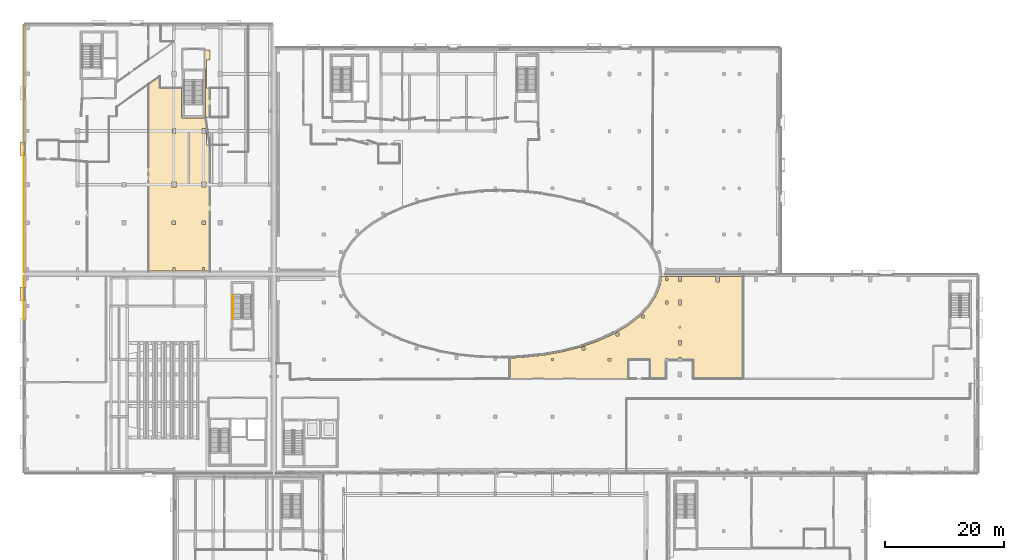
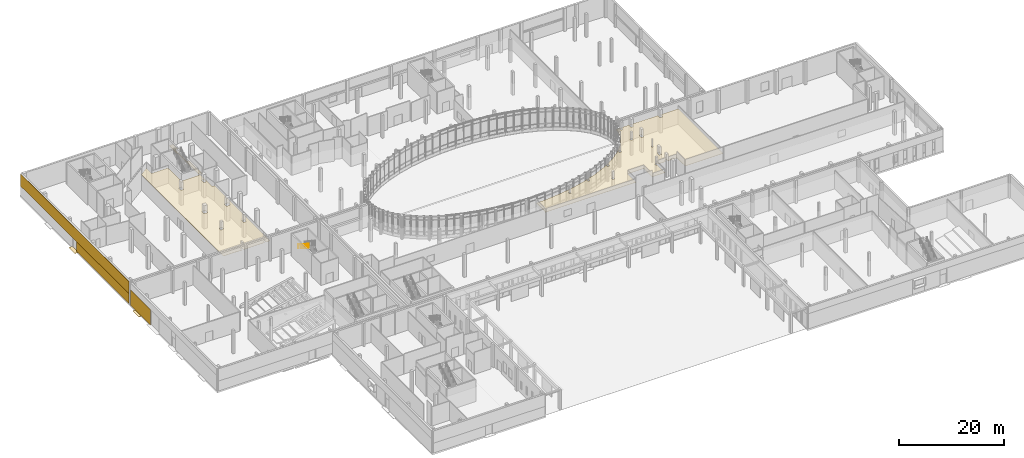
# One storey, part 67 of 84: 7 coverings, 1 railing.
"""IFC4 building model written with IfcOpenShell, lengths in metres."""

from ifc_helpers import new_model, si_unit, direction, frame, origin, origin_2d, place, context, subcontext, project, spatial, polyline, rectangle, circle, outline, extrude, material, layer, layer_set, type_object, element, save


model = new_model("IFC4")

# Units and contexts
model_context = context("Model", 3, precision=1e-05, world=origin(), true_north=direction((0.0, 1.0)))
body_context = subcontext(model_context, "Body", "Model", "MODEL_VIEW")
ifc_project = project(units=[si_unit("LENGTHUNIT", "METRE"), si_unit("AREAUNIT", "SQUARE_METRE"), si_unit("VOLUMEUNIT", "CUBIC_METRE"), si_unit("PLANEANGLEUNIT", "RADIAN"), si_unit("MASSUNIT", "GRAM", prefix="KILO")], contexts=[model_context])

# Site, building, storey
site_placement = place(None, origin())
site = spatial("IfcSite", under=ifc_project, at=site_placement, CompositionType="ELEMENT")
building_placement = place(site_placement, origin())
building = spatial("IfcBuilding", under=site, at=building_placement, Name="Mzevani Central Library", CompositionType="ELEMENT")
storey_placement = place(building_placement, origin())
storey = spatial("IfcBuildingStorey", under=building, at=storey_placement, Name="L00", CompositionType="ELEMENT", Elevation=0.0)

# Coverings
ifc_material_1 = material(Name="Limestone ashlar cladding", Category="masonry")
ifc_layer_1 = layer(ifc_material_1, 0.050048828125, Name="Limestone Ashlar Spandrel Cladding")
ifc_layer_set_1 = layer_set([ifc_layer_1], Name="Limestone ashlar cladding")
covering_type_1 = type_object("IfcCoveringType", Name="Limestone Ashlar Spandrel Cladding", PredefinedType="CLADDING", material=ifc_layer_set_1)
covering_1_placement = place(storey_placement, frame((3.97607421875, 97.050048828125, 2.2998046875), z_axis=(0.0, 0.0, 1.0), x_axis=(0.0, 1.0, 0.0)))
element("IfcCovering", 1, at=covering_1_placement, inside=storey, type_object=covering_type_1, Name="L00 Warm-White Facade Spandrel (EW4-V2-L00-0017)", PredefinedType="CLADDING", context=body_context, shape_type="SweptSolid", body=[
    extrude(rectangle(XDim=41.47998046875, YDim=0.050048828125, at=origin_2d()), origin(), (0.0, 0.0, 1.0), 2.840087890625),
])
covering_2_placement = place(storey_placement, frame((3.97607421875, 86.294921875, 0.0), z_axis=(0.0, 0.0, 1.0), x_axis=(0.0, 1.0, 0.0)))
element("IfcCovering", 2, at=covering_2_placement, inside=storey, type_object=covering_type_1, Name="L00 Warm-White Facade Pier 1 (EW4-V2-L00-0017)", PredefinedType="CLADDING", context=body_context, shape_type="SweptSolid", body=[
    extrude(rectangle(XDim=19.969970703125, YDim=0.050048828125, at=origin_2d()), origin(), (0.0, 0.0, 1.0), 2.300048828125),
])
covering_3_placement = place(storey_placement, frame((3.97607421875, 71.88720703125, 0.0), z_axis=(0.0, 0.0, 1.0), x_axis=(0.0, 1.0, 0.0)))
element("IfcCovering", 3, at=covering_3_placement, inside=storey, type_object=covering_type_1, Name="L00 Warm-White Facade Pier 3 (EW4-V5-L00-0089)", PredefinedType="CLADDING", context=body_context, shape_type="SweptSolid", body=[
    extrude(rectangle(XDim=7.605712890625, YDim=0.050048828125, at=origin_2d()), origin(), (0.0, 0.0, 1.0), 3.60009765625),
])
ifc_material_2 = material(Name="Mineral wool acoustic ceiling")
ifc_layer_2 = layer(ifc_material_2, 0.0400390625, Name="Perforated Timber Acoustic Ceiling")
ifc_layer_set_2 = layer_set([ifc_layer_2], Name="Mineral wool acoustic ceiling")
covering_type_2 = type_object("IfcCoveringType", Name="Perforated Timber Acoustic Ceiling", PredefinedType="CEILING", material=ifc_layer_set_2)
covering_4_placement = place(storey_placement, frame((0.0, 0.0, 3.550048828125)))
element("IfcCovering", 4, at=covering_4_placement, inside=storey, type_object=covering_type_2, Name="L00 Current Newspapers Reading Salon Acoustic Ceiling", PredefinedType="CEILING", context=body_context, shape_type="SweptSolid", body=[
    extrude(outline(polyline([(111.1220703125, 75.530029296875), (124.84765625, 75.5263671875), (124.84619140625, 58.372314453125), (116.447021484375, 58.370361328125), (116.43994140625, 61.489990234375), (114.449951171875, 61.489990234375), (114.449951171875, 61.949951171875), (113.949951171875, 61.949951171875), (113.949951171875, 61.489990234375), (112.22509765625, 61.489990234375), (112.22509765625, 61.824951171875), (111.77490234375, 61.824951171875), (111.77490234375, 61.375), (111.9599609375, 61.375), (111.950927734375, 58.3701171875), (109.17236328125, 58.373779296875), (109.169921875, 61.570068359375), (105.590087890625, 61.570068359375), (105.5810546875, 58.3701171875), (85.651611328125, 58.37451171875), (85.656005859375, 61.872802734375), (87.51025390625, 61.93603515625), (91.00048828125, 62.2939453125), (94.3193359375, 62.87451171875), (97.49072265625, 63.679443359375), (100.434814453125, 64.69189453125), (103.138427734375, 65.91455078125), (105.44873046875, 67.272216796875), (107.434814453125, 68.800537109375), (109.04931640625, 70.483642578125), (110.232421875, 72.29296875), (110.929443359375, 74.106689453125), (111.1220703125, 75.530029296875)]), holes=[polyline([(92.625, 61.77490234375), (92.625, 61.425048828125), (92.97509765625, 61.425048828125), (92.97509765625, 61.77490234375), (92.625, 61.77490234375)]), polyline([(102.625, 61.824951171875), (102.175048828125, 61.824951171875), (102.175048828125, 61.375), (102.625, 61.375), (102.625, 61.824951171875)]), polyline([(111.77490234375, 70.97509765625), (112.22509765625, 70.97509765625), (112.22509765625, 71.425048828125), (111.77490234375, 71.425048828125), (111.77490234375, 70.97509765625)]), polyline([(111.77490234375, 75.324951171875), (111.77490234375, 74.875), (112.22509765625, 74.875), (112.22509765625, 75.324951171875), (111.77490234375, 75.324951171875)]), polyline([(114.449951171875, 70.800048828125), (114.449951171875, 71.60009765625), (113.949951171875, 71.60009765625), (113.949951171875, 70.800048828125), (114.449951171875, 70.800048828125)]), polyline([(113.949951171875, 74.699951171875), (114.449951171875, 74.699951171875), (114.449951171875, 75.5), (113.949951171875, 75.5), (113.949951171875, 74.699951171875)]), polyline([(120.324951171875, 75.52490234375), (120.324951171875, 74.675048828125), (120.875, 74.675048828125), (120.875, 75.52490234375), (120.324951171875, 75.52490234375)]), polyline([(114.449951171875, 64.8330078125), (113.949951171875, 64.8330078125), (113.949951171875, 64.032958984375), (114.449951171875, 64.032958984375), (114.449951171875, 64.8330078125)]), polyline([(98.259033203125, 63.2470703125), (98.259033203125, 63.697021484375), (97.80908203125, 63.697021484375), (97.80908203125, 63.2470703125), (98.259033203125, 63.2470703125)]), polyline([(103.4560546875, 65.593994140625), (103.9560546875, 65.593994140625), (103.9560546875, 66.093994140625), (103.4560546875, 66.093994140625), (103.4560546875, 65.593994140625)]), polyline([(107.7490234375, 69.1259765625), (107.7490234375, 68.575927734375), (108.299072265625, 68.575927734375), (108.299072265625, 69.1259765625), (107.7490234375, 69.1259765625)]), polyline([(114.362060546875, 67.261962890625), (114.0380859375, 67.261962890625), (114.0380859375, 66.93798828125), (114.362060546875, 66.93798828125), (114.362060546875, 67.261962890625)])]), origin(), (0.0, 0.0, 1.0), 0.0400390625),
])
covering_5_placement = place(storey_placement, frame((0.0, 0.0, 3.550048828125)))
element("IfcCovering", 5, at=covering_5_placement, inside=storey, type_object=covering_type_2, Name="L00 Cataloguing and Metadata Office Acoustic Ceiling", PredefinedType="CEILING", context=body_context, shape_type="SweptSolid", body=[
    extrude(outline(polyline([(26.85986328125, 109.2255859375), (26.860107421875, 107.260009765625), (30.458740234375, 107.254638671875), (30.4599609375, 102.302001953125), (30.501708984375, 102.20166015625), (30.60205078125, 102.159912109375), (34.465087890625, 102.177734375), (34.5400390625, 102.302734375), (34.5400390625, 110.39794921875), (34.498291015625, 110.498291015625), (34.389892578125, 110.550048828125), (34.389892578125, 113.62109375), (35.243896484375, 113.624755859375), (35.24462890625, 111.947021484375), (34.659912109375, 111.93994140625), (34.659912109375, 107.260009765625), (35.2451171875, 107.25), (35.2451171875, 102.323974609375), (34.68505859375, 102.31494140625), (34.68505859375, 97.68505859375), (35.2451171875, 97.675048828125), (35.23779296875, 76.470458984375), (34.375, 76.469970703125), (34.375, 77.050048828125), (34.02490234375, 77.050048828125), (34.02490234375, 76.469970703125), (29.375, 76.469970703125), (29.375, 77.050048828125), (29.02490234375, 77.050048828125), (29.02490234375, 76.469970703125), (24.9404296875, 76.47705078125), (24.93994140625, 107.874267578125), (26.85986328125, 109.2255859375)]), holes=[polyline([(28.89990234375, 84.300048828125), (29.5, 84.300048828125), (29.5, 84.89990234375), (28.89990234375, 84.89990234375), (28.89990234375, 84.300048828125)]), polyline([(28.800048828125, 91.39990234375), (28.800048828125, 90.60009765625), (29.60009765625, 90.60009765625), (29.60009765625, 91.39990234375), (28.800048828125, 91.39990234375)]), polyline([(29.47509765625, 100.425048828125), (28.925048828125, 100.425048828125), (28.925048828125, 99.574951171875), (29.47509765625, 99.574951171875), (29.47509765625, 100.425048828125)]), polyline([(33.89990234375, 84.300048828125), (34.5, 84.300048828125), (34.5, 84.89990234375), (33.89990234375, 84.89990234375), (33.89990234375, 84.300048828125)]), polyline([(33.800048828125, 91.39990234375), (33.800048828125, 90.60009765625), (34.60009765625, 90.60009765625), (34.60009765625, 91.39990234375), (33.800048828125, 91.39990234375)]), polyline([(34.47509765625, 100.425048828125), (33.925048828125, 100.425048828125), (33.925048828125, 99.574951171875), (34.47509765625, 99.574951171875), (34.47509765625, 100.425048828125)])]), origin(), (0.0, 0.0, 1.0), 0.0400390625),
])

# Railing
ifc_material_3 = material(Name="Brushed stainless steel rail", Category="steel")
railing_type = type_object("IfcRailingType", Name="Stair Wall Handrail 920", PredefinedType="HANDRAIL", material=ifc_material_3)
railing_placement = place(storey_placement, frame((39.14990234375, 72.419921875, 2.8798828125)))
element("IfcRailing", 6, at=railing_placement, inside=storey, type_object=railing_type, Name="L00 ST-10 stair handrail 2", PredefinedType="HANDRAIL", context=body_context, shape_type="SweptSolid", body=[
    extrude(circle(Radius=0.02392578125, at=origin_2d()), frame((0.0, 0.0, 0.89599609375), z_axis=(0.0, -0.841171666519, 0.540768182723), x_axis=(1.0, 0.0, 0.0)), (0.0, 0.0, 1.0), 4.66015625),
    extrude(circle(Radius=0.02099609375, at=origin_2d()), origin(), (0.0, 0.0, 1.0), 0.871826171875),
    extrude(circle(Radius=0.02099609375, at=origin_2d()), frame((0.0, -0.97998046875, 0.6298828125)), (0.0, 0.0, 1.0), 0.871826171875),
    extrude(circle(Radius=0.02099609375, at=origin_2d()), frame((0.0, -1.9599609375, 1.260009765625)), (0.0, 0.0, 1.0), 0.871826171875),
    extrude(circle(Radius=0.02099609375, at=origin_2d()), frame((0.0, -2.93994140625, 1.89013671875)), (0.0, 0.0, 1.0), 0.871826171875),
    extrude(circle(Radius=0.02099609375, at=origin_2d()), frame((0.0, -3.919921875, 2.52001953125)), (0.0, 0.0, 1.0), 0.871826171875),
])

# Coverings
ifc_material_4 = material(Name="Terrazzo stone flooring", Category="masonry")
ifc_layer_3 = layer(ifc_material_4, 0.030029296875, Name="Terrazzo Stone Floor Finish")
ifc_layer_set_3 = layer_set([ifc_layer_3], Name="Terrazzo stone flooring")
covering_type_3 = type_object("IfcCoveringType", Name="Terrazzo Stone Floor Finish", PredefinedType="FLOORING", material=ifc_layer_set_3)
for number, where, z_axis, x_axis, name in (
    (7, (3.739990234375, 97.050048828125, -0.0400390625), (0.0, 0.0, 1.0), (0.0, 1.0, 0.0), "L00 V2 Exterior Entrance Threshold Apron (10)"),
    (8, (3.739990234375, 72.64990234375, -0.0400390625), (0.0, 0.0, 1.0), (0.0, 1.0, 0.0), "L00 ST-10 Final Exit Discharge Apron"),
):
    element("IfcCovering", number, at=place(storey_placement, frame(where, z_axis=z_axis, x_axis=x_axis)), inside=storey, type_object=covering_type_3, Name=name, PredefinedType="FLOORING", context=body_context, shape_type="SweptSolid", body=[
        extrude(rectangle(XDim=2.300048828125, YDim=0.800048828125, at=origin_2d()), origin(), (0.0, 0.0, 1.0), 0.0400390625),
    ])

save(model, "model.ifc")
